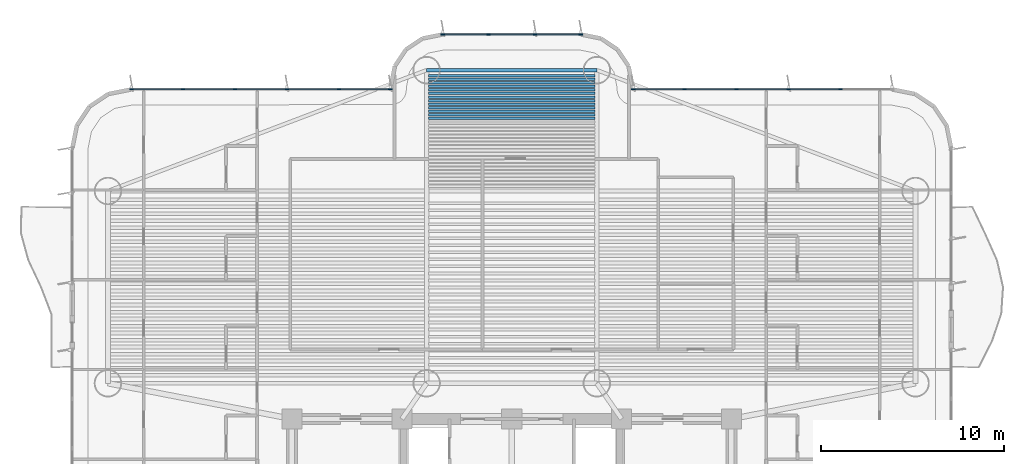
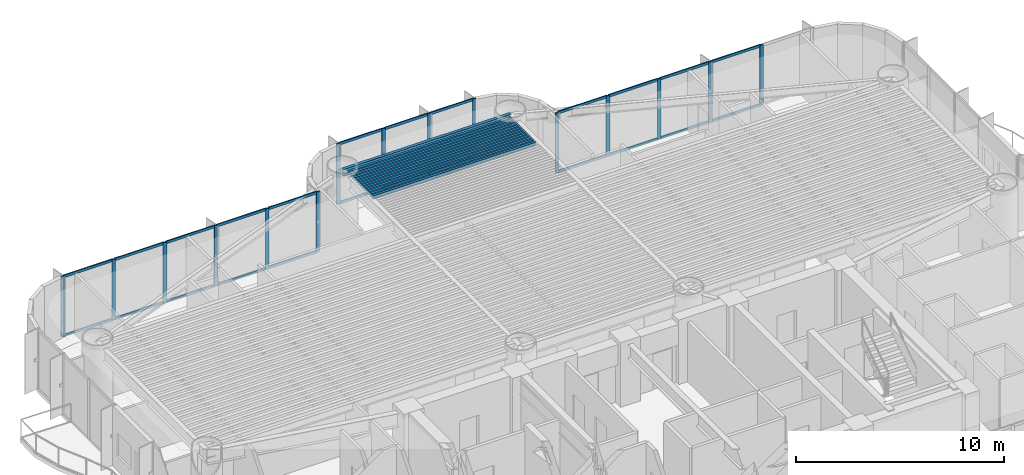
# One storey, part 7 of 19: 39 members, 14 beams, 3 elements without a shape of their own.
"""IFC4 building model written with IfcOpenShell, lengths in metres."""

from ifc_helpers import new_model, si_unit, direction, frame, origin, origin_2d, place, context, subcontext, project, spatial, rectangle, i_section, extrude, source, transform, mapped, material, layer, layer_set, material_profile, profile_set, type_object, element, aggregate, save


model = new_model("IFC4")

# Units and contexts
model_context = context("Model", 3, precision=1e-05, world=origin(), true_north=direction((0.0, 1.0)))
body_context = subcontext(model_context, "Body", "Model", "MODEL_VIEW")
ifc_project = project(units=[si_unit("LENGTHUNIT", "METRE"), si_unit("AREAUNIT", "SQUARE_METRE"), si_unit("VOLUMEUNIT", "CUBIC_METRE"), si_unit("PLANEANGLEUNIT", "RADIAN"), si_unit("MASSUNIT", "GRAM", prefix="KILO")], contexts=[model_context])

# Site, building, storey
site_placement = place(None, origin())
site = spatial("IfcSite", under=ifc_project, at=site_placement, CompositionType="ELEMENT")
building_placement = place(site_placement, origin())
building = spatial("IfcBuilding", under=site, at=building_placement, Name="Brelvock Crest Care Tower", CompositionType="ELEMENT")
storey_placement = place(building_placement, frame((0.0, 0.0, 68.580078125)))
storey = spatial("IfcBuildingStorey", under=building, at=storey_placement, Name="L17", CompositionType="ELEMENT", Elevation=68.580078125)

# Beams
ifc_material_1 = material(Name="Steel Grade 350", Category="steel")
ifc_material_profile_1 = material_profile(ifc_material_1, i_section(OverallWidth=0.177978515625, OverallDepth=0.406005859375, WebThickness=0.0078125, FlangeThickness=0.0126953125, FilletRadius=0.011474609375, at=origin_2d()), Name="410UB59.7")
ifc_profile_set_1 = profile_set([ifc_material_profile_1], Name="Steel Grade 350")
beam_type_1 = type_object("IfcBeamType", Name="BM-SP1", PredefinedType="SPANDREL", material=ifc_profile_set_1)
shared_shape_1 = source(origin(), body_context, "Body", "SweptSolid", [
    extrude(i_section(OverallWidth=0.177978515625, OverallDepth=0.406005859375, WebThickness=0.0078125, FlangeThickness=0.0126953125, FilletRadius=0.011474609375, at=origin_2d()), origin(), (0.0, 0.0, 1.0), 9.2998046875),
])
beam_placement = place(storey_placement, frame((31.35009765625, 37.050048828125, 3.326904296875), z_axis=(1.0, 0.0, 0.0), x_axis=(0.0, 1.0, 0.0)))
element("IfcBeam", 1, at=beam_placement, inside=storey, type_object=beam_type_1, Name="BM-TWR-L17-08", PredefinedType="SPANDREL", context=body_context, shape_type="MappedRepresentation", body=[
    mapped(shared_shape_1, transform((0.0, 0.0, 0.0), x_axis=(1.0, 0.0, 0.0), y_axis=(0.0, 1.0, 0.0), z_axis=(0.0, 0.0, 1.0), scale=1.0)),
])
ifc_material_profile_2 = material_profile(ifc_material_1, i_section(OverallWidth=0.134033203125, OverallDepth=0.20703125, WebThickness=0.00634765625, FlangeThickness=0.009521484375, FilletRadius=0.0087890625, at=origin_2d()), Name="200UB29.8")
ifc_profile_set_2 = profile_set([ifc_material_profile_2], Name="Steel Grade 350")
beam_type_2 = type_object("IfcBeamType", Name="BM-J4", PredefinedType="JOIST", material=ifc_profile_set_2)
shared_shape_2 = source(origin(), body_context, "Body", "SweptSolid", [
    extrude(i_section(OverallWidth=0.134033203125, OverallDepth=0.20703125, WebThickness=0.00634765625, FlangeThickness=0.009521484375, FilletRadius=0.0087890625, at=origin_2d()), origin(), (0.0, 0.0, 1.0), 9.06982421875),
])
for number, where, z_axis, x_axis, name in (
    (2, (31.465087890625, 34.413330078125, 3.426513671875), (1.0, 0.0, 0.0), (0.0, 1.0, 0.0), "BM-JN-L17-20"),
    (3, (31.465087890625, 34.60791015625, 3.426513671875), (1.0, 0.0, 0.0), (0.0, 1.0, 0.0), "BM-JN-L17-21"),
    (4, (31.465087890625, 34.802734375, 3.426513671875), (1.0, 0.0, 0.0), (0.0, 1.0, 0.0), "BM-JN-L17-22"),
    (5, (31.465087890625, 34.997314453125, 3.426513671875), (1.0, 0.0, 0.0), (0.0, 1.0, 0.0), "BM-JN-L17-23"),
    (6, (31.465087890625, 35.192138671875, 3.426513671875), (1.0, 0.0, 0.0), (0.0, 1.0, 0.0), "BM-JN-L17-24"),
    (7, (31.465087890625, 35.38671875, 3.426513671875), (1.0, 0.0, 0.0), (0.0, 1.0, 0.0), "BM-JN-L17-25"),
    (8, (31.465087890625, 35.58154296875, 3.426513671875), (1.0, 0.0, 0.0), (0.0, 1.0, 0.0), "BM-JN-L17-26"),
    (9, (31.465087890625, 35.776123046875, 3.426513671875), (1.0, 0.0, 0.0), (0.0, 1.0, 0.0), "BM-JN-L17-27"),
    (10, (31.465087890625, 35.970947265625, 3.426513671875), (1.0, 0.0, 0.0), (0.0, 1.0, 0.0), "BM-JN-L17-28"),
    (11, (31.465087890625, 36.16552734375, 3.426513671875), (1.0, 0.0, 0.0), (0.0, 1.0, 0.0), "BM-JN-L17-29"),
    (12, (31.465087890625, 36.3603515625, 3.426513671875), (1.0, 0.0, 0.0), (0.0, 1.0, 0.0), "BM-JN-L17-30"),
    (13, (31.465087890625, 36.554931640625, 3.426513671875), (1.0, 0.0, 0.0), (0.0, 1.0, 0.0), "BM-JN-L17-31"),
    (14, (31.465087890625, 36.749755859375, 3.426513671875), (1.0, 0.0, 0.0), (0.0, 1.0, 0.0), "BM-JN-L17-32"),
):
    element("IfcBeam", number, at=place(storey_placement, frame(where, z_axis=z_axis, x_axis=x_axis)), inside=storey, type_object=beam_type_2, Name=name, PredefinedType="JOIST", context=body_context, shape_type="MappedRepresentation", body=[
        mapped(shared_shape_2, transform((0.0, 0.0, 0.0), x_axis=(1.0, 0.0, 0.0), y_axis=(0.0, 1.0, 0.0), z_axis=(0.0, 0.0, 1.0), scale=1.0)),
    ])

# Curtain wall, members
ifc_material_2 = material(Name="Dark Glass Double Glazed Low-E", Category="glass")
ifc_layer = layer(ifc_material_2, 0.195068359375, Name="CWS-2")
ifc_layer_set = layer_set([ifc_layer], Name="Dark Glass Double Glazed Low-E")
curtain_wall_type = type_object("IfcCurtainWallType", Name="CWS-2", PredefinedType="NOTDEFINED", material=ifc_layer_set)
curtain_wall_1_placement = place(storey_placement, origin())
curtain_wall_1 = element("IfcCurtainWall", 15, at=curtain_wall_1_placement, inside=storey, type_object=curtain_wall_type, Name="L17 Curtain Wall E18", PredefinedType="NOTDEFINED")
ifc_material_3 = material(Name="Aluminium 6063-T6", Category="aluminium")
ifc_material_profile_3 = material_profile(ifc_material_3, rectangle(XDim=0.06494140625, YDim=0.199951171875, at=origin_2d()), Name="ALU65x200")
ifc_profile_set_3 = profile_set([ifc_material_profile_3], Name="Aluminium 6063-T6")
member_type_1 = type_object("IfcMemberType", Name="CWM-1", PredefinedType="MULLION", material=ifc_profile_set_3)
shared_shape_3 = source(origin(), body_context, "Body", "SweptSolid", [
    extrude(rectangle(XDim=0.06494140625, YDim=0.199951171875, at=origin_2d()), origin(), (0.0, 0.0, 1.0), 3.530029296875),
])
member_1_placement = place(storey_placement, frame((15.232421875, 36.0, 0.0), z_axis=(0.0, 0.0, 1.0), x_axis=(0.0, 1.0, 0.0)))
member_1 = element("IfcMember", 16, at=member_1_placement, type_object=member_type_1, Name="CW-2 mullion 1", PredefinedType="MULLION", context=body_context, shape_type="MappedRepresentation", body=[
    mapped(shared_shape_3, transform((0.0, 0.0, 0.0), x_axis=(1.0, 0.0, 0.0), y_axis=(0.0, 1.0, 0.0), z_axis=(0.0, 0.0, 1.0), scale=1.0)),
])
member_2_placement = place(storey_placement, frame((18.0400390625, 36.0, 0.0), z_axis=(0.0, 0.0, 1.0), x_axis=(0.0, 1.0, 0.0)))
member_2 = element("IfcMember", 17, at=member_2_placement, type_object=member_type_1, Name="CW-2 mullion 2", PredefinedType="MULLION", context=body_context, shape_type="MappedRepresentation", body=[
    mapped(shared_shape_3, transform((0.0, 0.0, 0.0), x_axis=(1.0, 0.0, 0.0), y_axis=(0.0, 1.0, 0.0), z_axis=(0.0, 0.0, 1.0), scale=1.0)),
])
member_3_placement = place(storey_placement, frame((20.8798828125, 36.0, 0.0), z_axis=(0.0, 0.0, 1.0), x_axis=(0.0, 1.0, 0.0)))
member_3 = element("IfcMember", 18, at=member_3_placement, type_object=member_type_1, Name="CW-2 mullion 3", PredefinedType="MULLION", context=body_context, shape_type="MappedRepresentation", body=[
    mapped(shared_shape_3, transform((0.0, 0.0, 0.0), x_axis=(1.0, 0.0, 0.0), y_axis=(0.0, 1.0, 0.0), z_axis=(0.0, 0.0, 1.0), scale=1.0)),
])
member_4_placement = place(storey_placement, frame((23.719970703125, 36.0, 0.0), z_axis=(0.0, 0.0, 1.0), x_axis=(0.0, 1.0, 0.0)))
member_4 = element("IfcMember", 19, at=member_4_placement, type_object=member_type_1, Name="CW-2 mullion 4", PredefinedType="MULLION", context=body_context, shape_type="MappedRepresentation", body=[
    mapped(shared_shape_3, transform((0.0, 0.0, 0.0), x_axis=(1.0, 0.0, 0.0), y_axis=(0.0, 1.0, 0.0), z_axis=(0.0, 0.0, 1.0), scale=1.0)),
])
member_5_placement = place(storey_placement, frame((26.56005859375, 36.0, 0.0), z_axis=(0.0, 0.0, 1.0), x_axis=(0.0, 1.0, 0.0)))
member_5 = element("IfcMember", 20, at=member_5_placement, type_object=member_type_1, Name="CW-2 mullion 5", PredefinedType="MULLION", context=body_context, shape_type="MappedRepresentation", body=[
    mapped(shared_shape_3, transform((0.0, 0.0, 0.0), x_axis=(1.0, 0.0, 0.0), y_axis=(0.0, 1.0, 0.0), z_axis=(0.0, 0.0, 1.0), scale=1.0)),
])
member_6_placement = place(storey_placement, frame((29.367431640625, 36.0, 0.0), z_axis=(0.0, 0.0, 1.0), x_axis=(0.0, 1.0, 0.0)))
member_6 = element("IfcMember", 21, at=member_6_placement, type_object=member_type_1, Name="CW-2 mullion 6", PredefinedType="MULLION", context=body_context, shape_type="MappedRepresentation", body=[
    mapped(shared_shape_3, transform((0.0, 0.0, 0.0), x_axis=(1.0, 0.0, 0.0), y_axis=(0.0, 1.0, 0.0), z_axis=(0.0, 0.0, 1.0), scale=1.0)),
])

curtain_wall_2_placement = place(storey_placement, origin())
curtain_wall_2 = element("IfcCurtainWall", 22, at=curtain_wall_2_placement, inside=storey, type_object=curtain_wall_type, Name="L17 Curtain Wall E24", PredefinedType="NOTDEFINED")
member_7_placement = place(storey_placement, frame((32.232421875, 39.0, 0.0), z_axis=(0.0, 0.0, 1.0), x_axis=(0.0, 1.0, 0.0)))
member_7 = element("IfcMember", 23, at=member_7_placement, type_object=member_type_1, Name="CW-2 mullion 1", PredefinedType="MULLION", context=body_context, shape_type="MappedRepresentation", body=[
    mapped(shared_shape_3, transform((0.0, 0.0, 0.0), x_axis=(1.0, 0.0, 0.0), y_axis=(0.0, 1.0, 0.0), z_axis=(0.0, 0.0, 1.0), scale=1.0)),
])
member_8_placement = place(storey_placement, frame((34.7333984375, 39.0, 0.0), z_axis=(0.0, 0.0, 1.0), x_axis=(0.0, 1.0, 0.0)))
member_8 = element("IfcMember", 24, at=member_8_placement, type_object=member_type_1, Name="CW-2 mullion 2", PredefinedType="MULLION", context=body_context, shape_type="MappedRepresentation", body=[
    mapped(shared_shape_3, transform((0.0, 0.0, 0.0), x_axis=(1.0, 0.0, 0.0), y_axis=(0.0, 1.0, 0.0), z_axis=(0.0, 0.0, 1.0), scale=1.0)),
])
member_9_placement = place(storey_placement, frame((37.2666015625, 39.0, 0.0), z_axis=(0.0, 0.0, 1.0), x_axis=(0.0, 1.0, 0.0)))
member_9 = element("IfcMember", 25, at=member_9_placement, type_object=member_type_1, Name="CW-2 mullion 3", PredefinedType="MULLION", context=body_context, shape_type="MappedRepresentation", body=[
    mapped(shared_shape_3, transform((0.0, 0.0, 0.0), x_axis=(1.0, 0.0, 0.0), y_axis=(0.0, 1.0, 0.0), z_axis=(0.0, 0.0, 1.0), scale=1.0)),
])
member_10_placement = place(storey_placement, frame((39.767578125, 39.0, 0.0), z_axis=(0.0, 0.0, 1.0), x_axis=(0.0, 1.0, 0.0)))
member_10 = element("IfcMember", 26, at=member_10_placement, type_object=member_type_1, Name="CW-2 mullion 4", PredefinedType="MULLION", context=body_context, shape_type="MappedRepresentation", body=[
    mapped(shared_shape_3, transform((0.0, 0.0, 0.0), x_axis=(1.0, 0.0, 0.0), y_axis=(0.0, 1.0, 0.0), z_axis=(0.0, 0.0, 1.0), scale=1.0)),
])

curtain_wall_3_placement = place(storey_placement, origin())
curtain_wall_3 = element("IfcCurtainWall", 27, at=curtain_wall_3_placement, inside=storey, type_object=curtain_wall_type, Name="L17 Curtain Wall E30", PredefinedType="NOTDEFINED")
member_11_placement = place(storey_placement, frame((42.632568359375, 36.0, 0.0), z_axis=(0.0, 0.0, 1.0), x_axis=(0.0, 1.0, 0.0)))
member_11 = element("IfcMember", 28, at=member_11_placement, type_object=member_type_1, Name="CW-2 mullion 1", PredefinedType="MULLION", context=body_context, shape_type="MappedRepresentation", body=[
    mapped(shared_shape_3, transform((0.0, 0.0, 0.0), x_axis=(1.0, 0.0, 0.0), y_axis=(0.0, 1.0, 0.0), z_axis=(0.0, 0.0, 1.0), scale=1.0)),
])
member_12_placement = place(storey_placement, frame((45.43994140625, 36.0, 0.0), z_axis=(0.0, 0.0, 1.0), x_axis=(0.0, 1.0, 0.0)))
member_12 = element("IfcMember", 29, at=member_12_placement, type_object=member_type_1, Name="CW-2 mullion 2", PredefinedType="MULLION", context=body_context, shape_type="MappedRepresentation", body=[
    mapped(shared_shape_3, transform((0.0, 0.0, 0.0), x_axis=(1.0, 0.0, 0.0), y_axis=(0.0, 1.0, 0.0), z_axis=(0.0, 0.0, 1.0), scale=1.0)),
])
member_13_placement = place(storey_placement, frame((48.280029296875, 36.0, 0.0), z_axis=(0.0, 0.0, 1.0), x_axis=(0.0, 1.0, 0.0)))
member_13 = element("IfcMember", 30, at=member_13_placement, type_object=member_type_1, Name="CW-2 mullion 3", PredefinedType="MULLION", context=body_context, shape_type="MappedRepresentation", body=[
    mapped(shared_shape_3, transform((0.0, 0.0, 0.0), x_axis=(1.0, 0.0, 0.0), y_axis=(0.0, 1.0, 0.0), z_axis=(0.0, 0.0, 1.0), scale=1.0)),
])
member_14_placement = place(storey_placement, frame((51.1201171875, 36.0, 0.0), z_axis=(0.0, 0.0, 1.0), x_axis=(0.0, 1.0, 0.0)))
member_14 = element("IfcMember", 31, at=member_14_placement, type_object=member_type_1, Name="CW-2 mullion 4", PredefinedType="MULLION", context=body_context, shape_type="MappedRepresentation", body=[
    mapped(shared_shape_3, transform((0.0, 0.0, 0.0), x_axis=(1.0, 0.0, 0.0), y_axis=(0.0, 1.0, 0.0), z_axis=(0.0, 0.0, 1.0), scale=1.0)),
])
member_15_placement = place(storey_placement, frame((53.9599609375, 36.0, 0.0), z_axis=(0.0, 0.0, 1.0), x_axis=(0.0, 1.0, 0.0)))
member_15 = element("IfcMember", 32, at=member_15_placement, type_object=member_type_1, Name="CW-2 mullion 5", PredefinedType="MULLION", context=body_context, shape_type="MappedRepresentation", body=[
    mapped(shared_shape_3, transform((0.0, 0.0, 0.0), x_axis=(1.0, 0.0, 0.0), y_axis=(0.0, 1.0, 0.0), z_axis=(0.0, 0.0, 1.0), scale=1.0)),
])

# Member
ifc_material_profile_4 = material_profile(ifc_material_3, rectangle(XDim=0.06494140625, YDim=0.14990234375, at=origin_2d()), Name="ALU65x150")
ifc_profile_set_4 = profile_set([ifc_material_profile_4], Name="Aluminium 6063-T6")
member_type_2 = type_object("IfcMemberType", Name="CWT-1", PredefinedType="USERDEFINED", material=ifc_profile_set_4)
shared_shape_4 = source(origin(), body_context, "Body", "SweptSolid", [
    extrude(rectangle(XDim=0.06494140625, YDim=0.14990234375, at=origin_2d()), origin(), (0.0, 0.0, 1.0), 2.74267578125),
])
member_16_placement = place(storey_placement, frame((15.264892578125, 36.0, 0.032470703125), z_axis=(1.0, 0.0, 0.0), x_axis=(0.0, 1.0, 0.0)))
member_16 = element("IfcMember", 33, at=member_16_placement, type_object=member_type_2, Name="CW-2 transom 1.1", ObjectType="TRANSOM", PredefinedType="USERDEFINED", context=body_context, shape_type="MappedRepresentation", body=[
    mapped(shared_shape_4, transform((0.0, 0.0, 0.0), x_axis=(1.0, 0.0, 0.0), y_axis=(0.0, 1.0, 0.0), z_axis=(0.0, 0.0, 1.0), scale=1.0)),
])

member_17_placement = place(storey_placement, frame((15.264892578125, 36.0, 3.497314453125), z_axis=(1.0, 0.0, 0.0), x_axis=(0.0, 1.0, 0.0)))
member_17 = element("IfcMember", 34, at=member_17_placement, type_object=member_type_2, Name="CW-2 transom 1.2", ObjectType="TRANSOM", PredefinedType="USERDEFINED", context=body_context, shape_type="MappedRepresentation", body=[
    mapped(shared_shape_4, transform((0.0, 0.0, 0.0), x_axis=(1.0, 0.0, 0.0), y_axis=(0.0, 1.0, 0.0), z_axis=(0.0, 0.0, 1.0), scale=1.0)),
])

shared_shape_5 = source(origin(), body_context, "Body", "SweptSolid", [
    extrude(rectangle(XDim=0.06494140625, YDim=0.14990234375, at=origin_2d()), origin(), (0.0, 0.0, 1.0), 2.77490234375),
])
member_18_placement = place(storey_placement, frame((18.072509765625, 36.0, 0.032470703125), z_axis=(1.0, 0.0, 0.0), x_axis=(0.0, 1.0, 0.0)))
member_18 = element("IfcMember", 35, at=member_18_placement, type_object=member_type_2, Name="CW-2 transom 2.1", ObjectType="TRANSOM", PredefinedType="USERDEFINED", context=body_context, shape_type="MappedRepresentation", body=[
    mapped(shared_shape_5, transform((0.0, 0.0, 0.0), x_axis=(1.0, 0.0, 0.0), y_axis=(0.0, 1.0, 0.0), z_axis=(0.0, 0.0, 1.0), scale=1.0)),
])

member_19_placement = place(storey_placement, frame((18.072509765625, 36.0, 3.497314453125), z_axis=(1.0, 0.0, 0.0), x_axis=(0.0, 1.0, 0.0)))
member_19 = element("IfcMember", 36, at=member_19_placement, type_object=member_type_2, Name="CW-2 transom 2.2", ObjectType="TRANSOM", PredefinedType="USERDEFINED", context=body_context, shape_type="MappedRepresentation", body=[
    mapped(shared_shape_5, transform((0.0, 0.0, 0.0), x_axis=(1.0, 0.0, 0.0), y_axis=(0.0, 1.0, 0.0), z_axis=(0.0, 0.0, 1.0), scale=1.0)),
])

member_20_placement = place(storey_placement, frame((20.91259765625, 36.0, 0.032470703125), z_axis=(1.0, 0.0, 0.0), x_axis=(0.0, 1.0, 0.0)))
member_20 = element("IfcMember", 37, at=member_20_placement, type_object=member_type_2, Name="CW-2 transom 3.1", ObjectType="TRANSOM", PredefinedType="USERDEFINED", context=body_context, shape_type="MappedRepresentation", body=[
    mapped(shared_shape_5, transform((0.0, 0.0, 0.0), x_axis=(1.0, 0.0, 0.0), y_axis=(0.0, 1.0, 0.0), z_axis=(0.0, 0.0, 1.0), scale=1.0)),
])

member_21_placement = place(storey_placement, frame((20.91259765625, 36.0, 3.497314453125), z_axis=(1.0, 0.0, 0.0), x_axis=(0.0, 1.0, 0.0)))
member_21 = element("IfcMember", 38, at=member_21_placement, type_object=member_type_2, Name="CW-2 transom 3.2", ObjectType="TRANSOM", PredefinedType="USERDEFINED", context=body_context, shape_type="MappedRepresentation", body=[
    mapped(shared_shape_5, transform((0.0, 0.0, 0.0), x_axis=(1.0, 0.0, 0.0), y_axis=(0.0, 1.0, 0.0), z_axis=(0.0, 0.0, 1.0), scale=1.0)),
])

member_22_placement = place(storey_placement, frame((48.3125, 36.0, 0.032470703125), z_axis=(1.0, 0.0, 0.0), x_axis=(0.0, 1.0, 0.0)))
member_22 = element("IfcMember", 39, at=member_22_placement, type_object=member_type_2, Name="CW-2 transom 3.1", ObjectType="TRANSOM", PredefinedType="USERDEFINED", context=body_context, shape_type="MappedRepresentation", body=[
    mapped(shared_shape_5, transform((0.0, 0.0, 0.0), x_axis=(1.0, 0.0, 0.0), y_axis=(0.0, 1.0, 0.0), z_axis=(0.0, 0.0, 1.0), scale=1.0)),
])

member_23_placement = place(storey_placement, frame((48.3125, 36.0, 3.497314453125), z_axis=(1.0, 0.0, 0.0), x_axis=(0.0, 1.0, 0.0)))
member_23 = element("IfcMember", 40, at=member_23_placement, type_object=member_type_2, Name="CW-2 transom 3.2", ObjectType="TRANSOM", PredefinedType="USERDEFINED", context=body_context, shape_type="MappedRepresentation", body=[
    mapped(shared_shape_5, transform((0.0, 0.0, 0.0), x_axis=(1.0, 0.0, 0.0), y_axis=(0.0, 1.0, 0.0), z_axis=(0.0, 0.0, 1.0), scale=1.0)),
])

member_24_placement = place(storey_placement, frame((51.152587890625, 36.0, 0.032470703125), z_axis=(1.0, 0.0, 0.0), x_axis=(0.0, 1.0, 0.0)))
member_24 = element("IfcMember", 41, at=member_24_placement, type_object=member_type_2, Name="CW-2 transom 4.1", ObjectType="TRANSOM", PredefinedType="USERDEFINED", context=body_context, shape_type="MappedRepresentation", body=[
    mapped(shared_shape_5, transform((0.0, 0.0, 0.0), x_axis=(1.0, 0.0, 0.0), y_axis=(0.0, 1.0, 0.0), z_axis=(0.0, 0.0, 1.0), scale=1.0)),
])

member_25_placement = place(storey_placement, frame((51.152587890625, 36.0, 3.497314453125), z_axis=(1.0, 0.0, 0.0), x_axis=(0.0, 1.0, 0.0)))
member_25 = element("IfcMember", 42, at=member_25_placement, type_object=member_type_2, Name="CW-2 transom 4.2", ObjectType="TRANSOM", PredefinedType="USERDEFINED", context=body_context, shape_type="MappedRepresentation", body=[
    mapped(shared_shape_5, transform((0.0, 0.0, 0.0), x_axis=(1.0, 0.0, 0.0), y_axis=(0.0, 1.0, 0.0), z_axis=(0.0, 0.0, 1.0), scale=1.0)),
])

shared_shape_6 = source(origin(), body_context, "Body", "SweptSolid", [
    extrude(rectangle(XDim=0.06494140625, YDim=0.14990234375, at=origin_2d()), origin(), (0.0, 0.0, 1.0), 2.775146484375),
])
member_26_placement = place(storey_placement, frame((23.75244140625, 36.0, 0.032470703125), z_axis=(1.0, 0.0, 0.0), x_axis=(0.0, 1.0, 0.0)))
member_26 = element("IfcMember", 43, at=member_26_placement, type_object=member_type_2, Name="CW-2 transom 4.1", ObjectType="TRANSOM", PredefinedType="USERDEFINED", context=body_context, shape_type="MappedRepresentation", body=[
    mapped(shared_shape_6, transform((0.0, 0.0, 0.0), x_axis=(1.0, 0.0, 0.0), y_axis=(0.0, 1.0, 0.0), z_axis=(0.0, 0.0, 1.0), scale=1.0)),
])

member_27_placement = place(storey_placement, frame((23.75244140625, 36.0, 3.497314453125), z_axis=(1.0, 0.0, 0.0), x_axis=(0.0, 1.0, 0.0)))
member_27 = element("IfcMember", 44, at=member_27_placement, type_object=member_type_2, Name="CW-2 transom 4.2", ObjectType="TRANSOM", PredefinedType="USERDEFINED", context=body_context, shape_type="MappedRepresentation", body=[
    mapped(shared_shape_6, transform((0.0, 0.0, 0.0), x_axis=(1.0, 0.0, 0.0), y_axis=(0.0, 1.0, 0.0), z_axis=(0.0, 0.0, 1.0), scale=1.0)),
])

member_28_placement = place(storey_placement, frame((45.472412109375, 36.0, 0.032470703125), z_axis=(1.0, 0.0, 0.0), x_axis=(0.0, 1.0, 0.0)))
member_28 = element("IfcMember", 45, at=member_28_placement, type_object=member_type_2, Name="CW-2 transom 2.1", ObjectType="TRANSOM", PredefinedType="USERDEFINED", context=body_context, shape_type="MappedRepresentation", body=[
    mapped(shared_shape_6, transform((0.0, 0.0, 0.0), x_axis=(1.0, 0.0, 0.0), y_axis=(0.0, 1.0, 0.0), z_axis=(0.0, 0.0, 1.0), scale=1.0)),
])

member_29_placement = place(storey_placement, frame((45.472412109375, 36.0, 3.497314453125), z_axis=(1.0, 0.0, 0.0), x_axis=(0.0, 1.0, 0.0)))
member_29 = element("IfcMember", 46, at=member_29_placement, type_object=member_type_2, Name="CW-2 transom 2.2", ObjectType="TRANSOM", PredefinedType="USERDEFINED", context=body_context, shape_type="MappedRepresentation", body=[
    mapped(shared_shape_6, transform((0.0, 0.0, 0.0), x_axis=(1.0, 0.0, 0.0), y_axis=(0.0, 1.0, 0.0), z_axis=(0.0, 0.0, 1.0), scale=1.0)),
])

shared_shape_7 = source(origin(), body_context, "Body", "SweptSolid", [
    extrude(rectangle(XDim=0.06494140625, YDim=0.14990234375, at=origin_2d()), origin(), (0.0, 0.0, 1.0), 2.742431640625),
])
member_30_placement = place(storey_placement, frame((26.592529296875, 36.0, 0.032470703125), z_axis=(1.0, 0.0, 0.0), x_axis=(0.0, 1.0, 0.0)))
member_30 = element("IfcMember", 47, at=member_30_placement, type_object=member_type_2, Name="CW-2 transom 5.1", ObjectType="TRANSOM", PredefinedType="USERDEFINED", context=body_context, shape_type="MappedRepresentation", body=[
    mapped(shared_shape_7, transform((0.0, 0.0, 0.0), x_axis=(1.0, 0.0, 0.0), y_axis=(0.0, 1.0, 0.0), z_axis=(0.0, 0.0, 1.0), scale=1.0)),
])

member_31_placement = place(storey_placement, frame((26.592529296875, 36.0, 3.497314453125), z_axis=(1.0, 0.0, 0.0), x_axis=(0.0, 1.0, 0.0)))
member_31 = element("IfcMember", 48, at=member_31_placement, type_object=member_type_2, Name="CW-2 transom 5.2", ObjectType="TRANSOM", PredefinedType="USERDEFINED", context=body_context, shape_type="MappedRepresentation", body=[
    mapped(shared_shape_7, transform((0.0, 0.0, 0.0), x_axis=(1.0, 0.0, 0.0), y_axis=(0.0, 1.0, 0.0), z_axis=(0.0, 0.0, 1.0), scale=1.0)),
])

aggregate(curtain_wall_1, [member_1, member_2, member_3, member_4, member_5, member_6, member_16, member_17, member_18, member_19, member_20, member_21, member_26, member_27, member_30, member_31])

member_32_placement = place(storey_placement, frame((42.6650390625, 36.0, 0.032470703125), z_axis=(1.0, 0.0, 0.0), x_axis=(0.0, 1.0, 0.0)))
member_32 = element("IfcMember", 49, at=member_32_placement, type_object=member_type_2, Name="CW-2 transom 1.1", ObjectType="TRANSOM", PredefinedType="USERDEFINED", context=body_context, shape_type="MappedRepresentation", body=[
    mapped(shared_shape_7, transform((0.0, 0.0, 0.0), x_axis=(1.0, 0.0, 0.0), y_axis=(0.0, 1.0, 0.0), z_axis=(0.0, 0.0, 1.0), scale=1.0)),
])

member_33_placement = place(storey_placement, frame((42.6650390625, 36.0, 3.497314453125), z_axis=(1.0, 0.0, 0.0), x_axis=(0.0, 1.0, 0.0)))
member_33 = element("IfcMember", 50, at=member_33_placement, type_object=member_type_2, Name="CW-2 transom 1.2", ObjectType="TRANSOM", PredefinedType="USERDEFINED", context=body_context, shape_type="MappedRepresentation", body=[
    mapped(shared_shape_7, transform((0.0, 0.0, 0.0), x_axis=(1.0, 0.0, 0.0), y_axis=(0.0, 1.0, 0.0), z_axis=(0.0, 0.0, 1.0), scale=1.0)),
])

aggregate(curtain_wall_3, [member_11, member_12, member_13, member_14, member_15, member_32, member_33, member_28, member_29, member_22, member_23, member_24, member_25])

shared_shape_8 = source(origin(), body_context, "Body", "SweptSolid", [
    extrude(rectangle(XDim=0.06494140625, YDim=0.14990234375, at=origin_2d()), origin(), (0.0, 0.0, 1.0), 2.43603515625),
])
member_34_placement = place(storey_placement, frame((32.264892578125, 39.0, 0.032470703125), z_axis=(1.0, 0.0, 0.0), x_axis=(0.0, 1.0, 0.0)))
member_34 = element("IfcMember", 51, at=member_34_placement, type_object=member_type_2, Name="CW-2 transom 1.1", ObjectType="TRANSOM", PredefinedType="USERDEFINED", context=body_context, shape_type="MappedRepresentation", body=[
    mapped(shared_shape_8, transform((0.0, 0.0, 0.0), x_axis=(1.0, 0.0, 0.0), y_axis=(0.0, 1.0, 0.0), z_axis=(0.0, 0.0, 1.0), scale=1.0)),
])

member_35_placement = place(storey_placement, frame((32.264892578125, 39.0, 3.497314453125), z_axis=(1.0, 0.0, 0.0), x_axis=(0.0, 1.0, 0.0)))
member_35 = element("IfcMember", 52, at=member_35_placement, type_object=member_type_2, Name="CW-2 transom 1.2", ObjectType="TRANSOM", PredefinedType="USERDEFINED", context=body_context, shape_type="MappedRepresentation", body=[
    mapped(shared_shape_8, transform((0.0, 0.0, 0.0), x_axis=(1.0, 0.0, 0.0), y_axis=(0.0, 1.0, 0.0), z_axis=(0.0, 0.0, 1.0), scale=1.0)),
])

member_36_placement = place(storey_placement, frame((37.299072265625, 39.0, 0.032470703125), z_axis=(1.0, 0.0, 0.0), x_axis=(0.0, 1.0, 0.0)))
member_36 = element("IfcMember", 53, at=member_36_placement, type_object=member_type_2, Name="CW-2 transom 3.1", ObjectType="TRANSOM", PredefinedType="USERDEFINED", context=body_context, shape_type="MappedRepresentation", body=[
    mapped(shared_shape_8, transform((0.0, 0.0, 0.0), x_axis=(1.0, 0.0, 0.0), y_axis=(0.0, 1.0, 0.0), z_axis=(0.0, 0.0, 1.0), scale=1.0)),
])

member_37_placement = place(storey_placement, frame((37.299072265625, 39.0, 3.497314453125), z_axis=(1.0, 0.0, 0.0), x_axis=(0.0, 1.0, 0.0)))
member_37 = element("IfcMember", 54, at=member_37_placement, type_object=member_type_2, Name="CW-2 transom 3.2", ObjectType="TRANSOM", PredefinedType="USERDEFINED", context=body_context, shape_type="MappedRepresentation", body=[
    mapped(shared_shape_8, transform((0.0, 0.0, 0.0), x_axis=(1.0, 0.0, 0.0), y_axis=(0.0, 1.0, 0.0), z_axis=(0.0, 0.0, 1.0), scale=1.0)),
])

shared_shape_9 = source(origin(), body_context, "Body", "SweptSolid", [
    extrude(rectangle(XDim=0.06494140625, YDim=0.14990234375, at=origin_2d()), origin(), (0.0, 0.0, 1.0), 2.46826171875),
])
member_38_placement = place(storey_placement, frame((34.765869140625, 39.0, 0.032470703125), z_axis=(1.0, 0.0, 0.0), x_axis=(0.0, 1.0, 0.0)))
member_38 = element("IfcMember", 55, at=member_38_placement, type_object=member_type_2, Name="CW-2 transom 2.1", ObjectType="TRANSOM", PredefinedType="USERDEFINED", context=body_context, shape_type="MappedRepresentation", body=[
    mapped(shared_shape_9, transform((0.0, 0.0, 0.0), x_axis=(1.0, 0.0, 0.0), y_axis=(0.0, 1.0, 0.0), z_axis=(0.0, 0.0, 1.0), scale=1.0)),
])

member_39_placement = place(storey_placement, frame((34.765869140625, 39.0, 3.497314453125), z_axis=(1.0, 0.0, 0.0), x_axis=(0.0, 1.0, 0.0)))
member_39 = element("IfcMember", 56, at=member_39_placement, type_object=member_type_2, Name="CW-2 transom 2.2", ObjectType="TRANSOM", PredefinedType="USERDEFINED", context=body_context, shape_type="MappedRepresentation", body=[
    mapped(shared_shape_9, transform((0.0, 0.0, 0.0), x_axis=(1.0, 0.0, 0.0), y_axis=(0.0, 1.0, 0.0), z_axis=(0.0, 0.0, 1.0), scale=1.0)),
])

aggregate(curtain_wall_2, [member_7, member_8, member_9, member_10, member_34, member_35, member_38, member_39, member_36, member_37])

save(model, "model.ifc")
